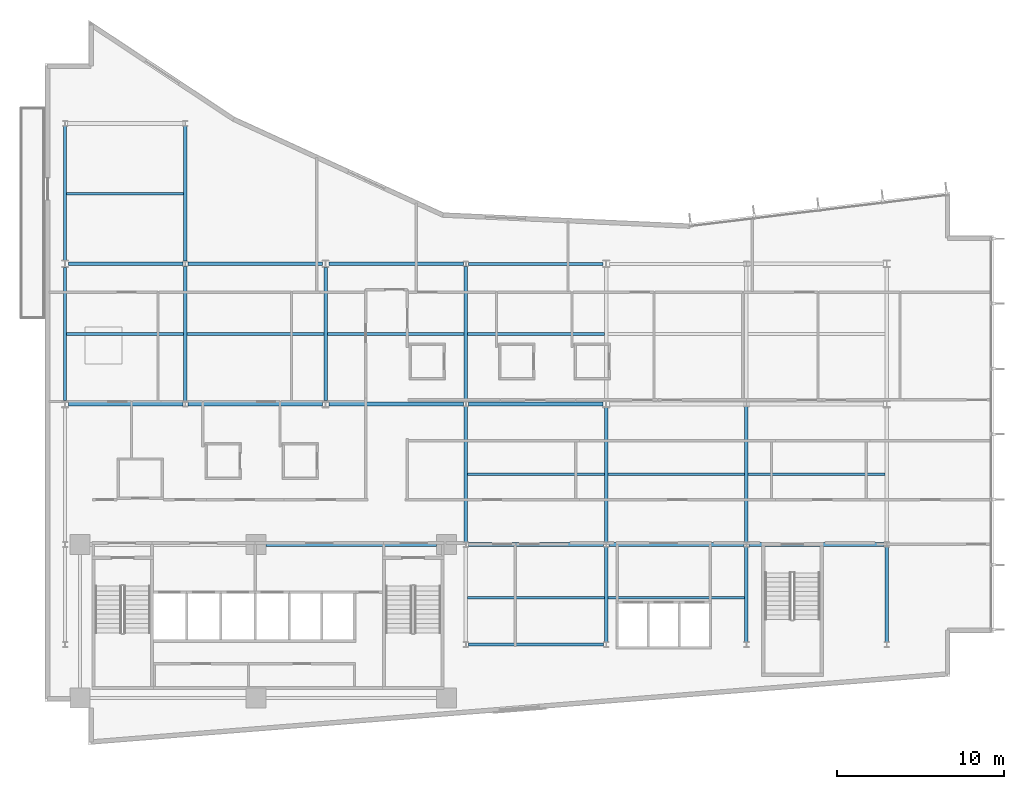
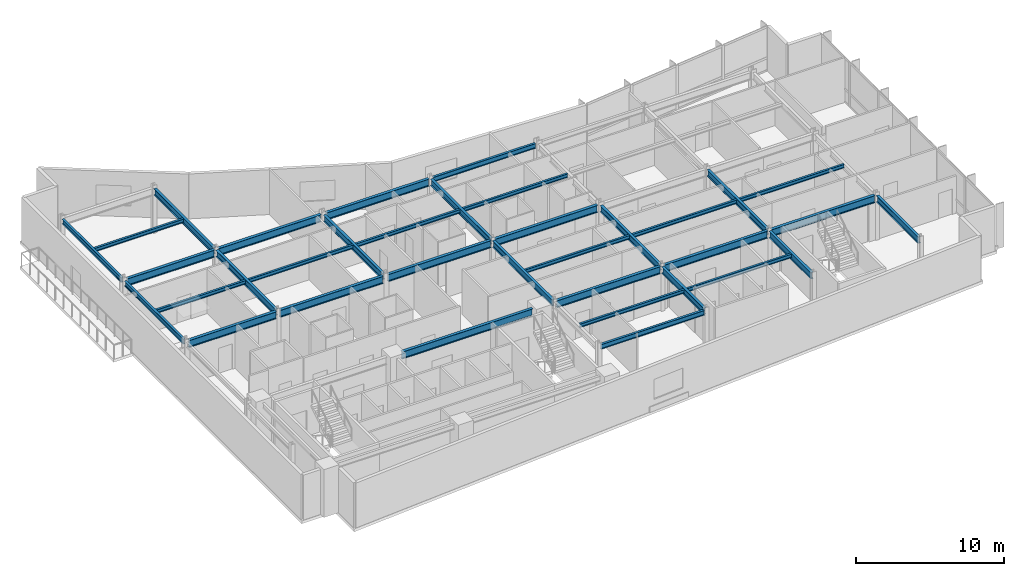
# One storey, part 4 of 19: 35 beams.
"""IFC4 building model written with IfcOpenShell, lengths in metres."""

from ifc_helpers import new_model, si_unit, direction, frame, origin, origin_2d, place, context, subcontext, project, spatial, i_section, extrude, material, material_profile, profile_set, type_object, element, save


model = new_model("IFC4")

# Units and contexts
model_context = context("Model", 3, precision=1e-05, world=origin(), true_north=direction((0.0, 1.0)))
body_context = subcontext(model_context, "Body", "Model", "MODEL_VIEW")
ifc_project = project(units=[si_unit("LENGTHUNIT", "METRE"), si_unit("AREAUNIT", "SQUARE_METRE"), si_unit("VOLUMEUNIT", "CUBIC_METRE"), si_unit("PLANEANGLEUNIT", "RADIAN"), si_unit("MASSUNIT", "GRAM", prefix="KILO")], contexts=[model_context])

# Site, building, storey
site_placement = place(None, origin())
site = spatial("IfcSite", under=ifc_project, at=site_placement, CompositionType="ELEMENT")
building_placement = place(site_placement, origin())
building = spatial("IfcBuilding", under=site, at=building_placement, Name="Varnakote Quay Hospital", CompositionType="ELEMENT")
storey_placement = place(building_placement, frame((0.0, 0.0, 162.60009765625)))
storey = spatial("IfcBuildingStorey", under=building, at=storey_placement, Name="L40", CompositionType="ELEMENT", Elevation=162.60009765625)

# Beams
ifc_material_1 = material(Name="Structural steel AS/NZS 3679.1 Grade 350 L0 (fy 340 MPa)", Category="steel")
ifc_material_profile_1 = material_profile(ifc_material_1, i_section(OverallWidth=0.208984375, OverallDepth=0.532958984375, WebThickness=0.01025390625, FlangeThickness=0.015625, FilletRadius=0.013916015625, at=origin_2d()), Name="530UB92.4")
ifc_profile_set_1 = profile_set([ifc_material_profile_1], Name="Structural steel AS/NZS 3679.1 Grade 350 L0 (fy 340 MPa)")
beam_type_1 = type_object("IfcBeamType", Name="BM-STL-530UB92-4", PredefinedType="BEAM", material=ifc_profile_set_1)
for number, where, z_axis, x_axis, name in (
    (1, (8.39990234375, 20.5576171875, 3.443359375), (0.0, 1.0, 0.0), (-1.0, 0.0, 0.0), "L40 Primary Tie Beam"),
    (2, (8.39990234375, 28.95751953125, 3.443359375), (0.0, 1.0, 0.0), (-1.0, 0.0, 0.0), "L40 Primary Tie Beam"),
):
    element("IfcBeam", number, at=place(storey_placement, frame(where, z_axis=z_axis, x_axis=x_axis)), inside=storey, type_object=beam_type_1, Name=name, PredefinedType="BEAM", context=body_context, shape_type="SweptSolid", body=[
        extrude(i_section(OverallWidth=0.208984375, OverallDepth=0.532958984375, WebThickness=0.01025390625, FlangeThickness=0.015625, FilletRadius=0.013916015625, at=origin_2d()), origin(), (0.0, 0.0, 1.0), 8.0849609375),
    ])
beam_1_placement = place(storey_placement, frame((16.800048828125, 20.610107421875, 3.443359375), z_axis=(0.0, 1.0, 0.0), x_axis=(-1.0, 0.0, 0.0)))
element("IfcBeam", 3, at=beam_1_placement, inside=storey, type_object=beam_type_1, Name="L40 Primary Tie Beam", PredefinedType="BEAM", context=body_context, shape_type="SweptSolid", body=[
    extrude(i_section(OverallWidth=0.208984375, OverallDepth=0.532958984375, WebThickness=0.01025390625, FlangeThickness=0.015625, FilletRadius=0.013916015625, at=origin_2d()), origin(), (0.0, 0.0, 1.0), 7.97998046875),
])
for number, where, z_axis, x_axis, name in (
    (4, (25.199951171875, 12.157470703125, 3.443359375), (0.0, 1.0, 0.0), (-1.0, 0.0, 0.0), "L40 Primary Tie Beam"),
    (5, (25.199951171875, 20.5576171875, 3.443359375), (0.0, 1.0, 0.0), (-1.0, 0.0, 0.0), "L40 Primary Tie Beam"),
):
    element("IfcBeam", number, at=place(storey_placement, frame(where, z_axis=z_axis, x_axis=x_axis)), inside=storey, type_object=beam_type_1, Name=name, PredefinedType="BEAM", context=body_context, shape_type="SweptSolid", body=[
        extrude(i_section(OverallWidth=0.208984375, OverallDepth=0.532958984375, WebThickness=0.01025390625, FlangeThickness=0.015625, FilletRadius=0.013916015625, at=origin_2d()), origin(), (0.0, 0.0, 1.0), 8.0849609375),
    ])
beam_2_placement = place(storey_placement, frame((33.60009765625, 6.157470703125, 3.443359375), z_axis=(0.0, 1.0, 0.0), x_axis=(-1.0, 0.0, 0.0)))
element("IfcBeam", 6, at=beam_2_placement, inside=storey, type_object=beam_type_1, Name="L40 Primary Tie Beam", PredefinedType="BEAM", context=body_context, shape_type="SweptSolid", body=[
    extrude(i_section(OverallWidth=0.208984375, OverallDepth=0.532958984375, WebThickness=0.01025390625, FlangeThickness=0.015625, FilletRadius=0.013916015625, at=origin_2d()), origin(), (0.0, 0.0, 1.0), 5.68505859375),
])
beam_3_placement = place(storey_placement, frame((33.60009765625, 12.157470703125, 3.443359375), z_axis=(0.0, 1.0, 0.0), x_axis=(-1.0, 0.0, 0.0)))
element("IfcBeam", 7, at=beam_3_placement, inside=storey, type_object=beam_type_1, Name="L40 Primary Tie Beam", PredefinedType="BEAM", context=body_context, shape_type="SweptSolid", body=[
    extrude(i_section(OverallWidth=0.208984375, OverallDepth=0.532958984375, WebThickness=0.01025390625, FlangeThickness=0.015625, FilletRadius=0.013916015625, at=origin_2d()), origin(), (0.0, 0.0, 1.0), 8.032470703125),
])
beam_4_placement = place(storey_placement, frame((42.0, 6.157470703125, 3.443359375), z_axis=(0.0, 1.0, 0.0), x_axis=(-1.0, 0.0, 0.0)))
element("IfcBeam", 8, at=beam_4_placement, inside=storey, type_object=beam_type_1, Name="L40 Primary Tie Beam", PredefinedType="BEAM", context=body_context, shape_type="SweptSolid", body=[
    extrude(i_section(OverallWidth=0.208984375, OverallDepth=0.532958984375, WebThickness=0.01025390625, FlangeThickness=0.015625, FilletRadius=0.013916015625, at=origin_2d()), origin(), (0.0, 0.0, 1.0), 5.68505859375),
])
beam_5_placement = place(storey_placement, frame((42.0, 12.157470703125, 3.443359375), z_axis=(0.0, 1.0, 0.0), x_axis=(-1.0, 0.0, 0.0)))
element("IfcBeam", 9, at=beam_5_placement, inside=storey, type_object=beam_type_1, Name="L40 Primary Tie Beam", PredefinedType="BEAM", context=body_context, shape_type="SweptSolid", body=[
    extrude(i_section(OverallWidth=0.208984375, OverallDepth=0.532958984375, WebThickness=0.01025390625, FlangeThickness=0.015625, FilletRadius=0.013916015625, at=origin_2d()), origin(), (0.0, 0.0, 1.0), 8.0849609375),
])
beam_6_placement = place(storey_placement, frame((50.39990234375, 6.157470703125, 3.443359375), z_axis=(0.0, 1.0, 0.0), x_axis=(-1.0, 0.0, 0.0)))
element("IfcBeam", 10, at=beam_6_placement, inside=storey, type_object=beam_type_1, Name="L40 Primary Tie Beam", PredefinedType="BEAM", context=body_context, shape_type="SweptSolid", body=[
    extrude(i_section(OverallWidth=0.208984375, OverallDepth=0.532958984375, WebThickness=0.01025390625, FlangeThickness=0.015625, FilletRadius=0.013916015625, at=origin_2d()), origin(), (0.0, 0.0, 1.0), 5.68505859375),
])
ifc_material_2 = material(Name="Structural steel AS/NZS 3679.1 Grade 350 L0 (fy 340 MPa)", Category="steel")
ifc_material_profile_2 = material_profile(ifc_material_2, i_section(OverallWidth=0.22802734375, OverallDepth=0.60205078125, WebThickness=0.010498046875, FlangeThickness=0.014892578125, FilletRadius=0.013916015625, at=origin_2d()), Name="610UB101")
ifc_profile_set_2 = profile_set([ifc_material_profile_2], Name="Structural steel AS/NZS 3679.1 Grade 350 L0 (fy 340 MPa)")
beam_type_2 = type_object("IfcBeamType", Name="BM-STL-610UB101", PredefinedType="BEAM", material=ifc_profile_set_2)
beam_7_placement = place(storey_placement, frame((13.219970703125, 12.0, 3.408935546875), z_axis=(1.0, 0.0, 0.0), x_axis=(0.0, 1.0, 0.0)))
element("IfcBeam", 11, at=beam_7_placement, inside=storey, type_object=beam_type_2, Name="L40 Primary Floor Beam", PredefinedType="BEAM", context=body_context, shape_type="SweptSolid", body=[
    extrude(i_section(OverallWidth=0.22802734375, OverallDepth=0.60205078125, WebThickness=0.010498046875, FlangeThickness=0.014892578125, FilletRadius=0.013916015625, at=origin_2d()), origin(), (0.0, 0.0, 1.0), 10.22998046875),
])
for number, where, z_axis, x_axis, name in (
    (12, (25.353515625, 12.0, 3.408935546875), (1.0, 0.0, 0.0), (0.0, 1.0, 0.0), "L40 Primary Floor Beam"),
    (13, (33.75341796875, 12.0, 3.408935546875), (1.0, 0.0, 0.0), (0.0, 1.0, 0.0), "L40 Primary Floor Beam"),
    (14, (42.153564453125, 12.0, 3.408935546875), (1.0, 0.0, 0.0), (0.0, 1.0, 0.0), "L40 Primary Floor Beam"),
):
    element("IfcBeam", number, at=place(storey_placement, frame(where, z_axis=z_axis, x_axis=x_axis)), inside=storey, type_object=beam_type_2, Name=name, PredefinedType="BEAM", context=body_context, shape_type="SweptSolid", body=[
        extrude(i_section(OverallWidth=0.22802734375, OverallDepth=0.60205078125, WebThickness=0.010498046875, FlangeThickness=0.014892578125, FilletRadius=0.013916015625, at=origin_2d()), origin(), (0.0, 0.0, 1.0), 8.093017578125),
    ])
beam_8_placement = place(storey_placement, frame((1.39990234375, 20.39990234375, 3.408935546875), z_axis=(1.0, 0.0, 0.0), x_axis=(0.0, 1.0, 0.0)))
element("IfcBeam", 15, at=beam_8_placement, inside=storey, type_object=beam_type_2, Name="L40 Primary Floor Beam", PredefinedType="BEAM", context=body_context, shape_type="SweptSolid", body=[
    extrude(i_section(OverallWidth=0.22802734375, OverallDepth=0.60205078125, WebThickness=0.010498046875, FlangeThickness=0.014892578125, FilletRadius=0.013916015625, at=origin_2d()), origin(), (0.0, 0.0, 1.0), 6.8466796875),
])
beam_9_placement = place(storey_placement, frame((8.553466796875, 20.39990234375, 3.408935546875), z_axis=(1.0, 0.0, 0.0), x_axis=(0.0, 1.0, 0.0)))
element("IfcBeam", 16, at=beam_9_placement, inside=storey, type_object=beam_type_2, Name="L40 Primary Floor Beam", PredefinedType="BEAM", context=body_context, shape_type="SweptSolid", body=[
    extrude(i_section(OverallWidth=0.22802734375, OverallDepth=0.60205078125, WebThickness=0.010498046875, FlangeThickness=0.014892578125, FilletRadius=0.013916015625, at=origin_2d()), origin(), (0.0, 0.0, 1.0), 8.046630859375),
])
for number, where, z_axis, x_axis, name in (
    (17, (17.0, 20.39990234375, 3.408935546875), (1.0, 0.0, 0.0), (0.0, 1.0, 0.0), "L40 Primary Floor Beam"),
    (18, (25.353515625, 20.39990234375, 3.408935546875), (1.0, 0.0, 0.0), (0.0, 1.0, 0.0), "L40 Primary Floor Beam"),
):
    element("IfcBeam", number, at=place(storey_placement, frame(where, z_axis=z_axis, x_axis=x_axis)), inside=storey, type_object=beam_type_2, Name=name, PredefinedType="BEAM", context=body_context, shape_type="SweptSolid", body=[
        extrude(i_section(OverallWidth=0.22802734375, OverallDepth=0.60205078125, WebThickness=0.010498046875, FlangeThickness=0.014892578125, FilletRadius=0.013916015625, at=origin_2d()), origin(), (0.0, 0.0, 1.0), 8.04638671875),
    ])
beam_10_placement = place(storey_placement, frame((1.39990234375, 28.800048828125, 3.408935546875), z_axis=(1.0, 0.0, 0.0), x_axis=(0.0, 1.0, 0.0)))
element("IfcBeam", 19, at=beam_10_placement, inside=storey, type_object=beam_type_2, Name="L40 Primary Floor Beam", PredefinedType="BEAM", context=body_context, shape_type="SweptSolid", body=[
    extrude(i_section(OverallWidth=0.22802734375, OverallDepth=0.60205078125, WebThickness=0.010498046875, FlangeThickness=0.014892578125, FilletRadius=0.013916015625, at=origin_2d()), origin(), (0.0, 0.0, 1.0), 6.8466796875),
])
beam_11_placement = place(storey_placement, frame((8.553466796875, 28.800048828125, 3.408935546875), z_axis=(1.0, 0.0, 0.0), x_axis=(0.0, 1.0, 0.0)))
element("IfcBeam", 20, at=beam_11_placement, inside=storey, type_object=beam_type_2, Name="L40 Primary Floor Beam", PredefinedType="BEAM", context=body_context, shape_type="SweptSolid", body=[
    extrude(i_section(OverallWidth=0.22802734375, OverallDepth=0.60205078125, WebThickness=0.010498046875, FlangeThickness=0.014892578125, FilletRadius=0.013916015625, at=origin_2d()), origin(), (0.0, 0.0, 1.0), 8.046630859375),
])
beam_12_placement = place(storey_placement, frame((17.0, 28.800048828125, 3.408935546875), z_axis=(1.0, 0.0, 0.0), x_axis=(0.0, 1.0, 0.0)))
element("IfcBeam", 21, at=beam_12_placement, inside=storey, type_object=beam_type_2, Name="L40 Primary Floor Beam", PredefinedType="BEAM", context=body_context, shape_type="SweptSolid", body=[
    extrude(i_section(OverallWidth=0.22802734375, OverallDepth=0.60205078125, WebThickness=0.010498046875, FlangeThickness=0.014892578125, FilletRadius=0.013916015625, at=origin_2d()), origin(), (0.0, 0.0, 1.0), 8.04638671875),
])
ifc_material_3 = material(Name="Structural steel AS/NZS 3679.1 Grade 350 L0 (fy 340 MPa)", Category="steel")
ifc_material_profile_3 = material_profile(ifc_material_3, i_section(OverallWidth=0.1650390625, OverallDepth=0.303955078125, WebThickness=0.006103515625, FlangeThickness=0.01025390625, FilletRadius=0.011474609375, at=origin_2d()), Name="310UB40.4")
ifc_profile_set_3 = profile_set([ifc_material_profile_3], Name="Structural steel AS/NZS 3679.1 Grade 350 L0 (fy 340 MPa)")
beam_type_3 = type_object("IfcBeamType", Name="JST-STL-310UB40-4", PredefinedType="JOIST", material=ifc_profile_set_3)
beam_13_placement = place(storey_placement, frame((25.304443359375, 8.800048828125, 3.557861328125), z_axis=(1.0, 0.0, 0.0), x_axis=(0.0, 1.0, 0.0)))
element("IfcBeam", 22, at=beam_13_placement, inside=storey, type_object=beam_type_3, Name="L40 Composite Floor Joist", PredefinedType="JOIST", context=body_context, shape_type="SweptSolid", body=[
    extrude(i_section(OverallWidth=0.1650390625, OverallDepth=0.303955078125, WebThickness=0.006103515625, FlangeThickness=0.01025390625, FilletRadius=0.011474609375, at=origin_2d()), origin(), (0.0, 0.0, 1.0), 8.191162109375),
])
beam_14_placement = place(storey_placement, frame((33.70458984375, 8.800048828125, 3.557861328125), z_axis=(1.0, 0.0, 0.0), x_axis=(0.0, 1.0, 0.0)))
element("IfcBeam", 23, at=beam_14_placement, inside=storey, type_object=beam_type_3, Name="L40 Composite Floor Joist", PredefinedType="JOIST", context=body_context, shape_type="SweptSolid", body=[
    extrude(i_section(OverallWidth=0.1650390625, OverallDepth=0.303955078125, WebThickness=0.006103515625, FlangeThickness=0.01025390625, FilletRadius=0.011474609375, at=origin_2d()), origin(), (0.0, 0.0, 1.0), 8.19091796875),
])
beam_15_placement = place(storey_placement, frame((25.304443359375, 16.199951171875, 3.557861328125), z_axis=(1.0, 0.0, 0.0), x_axis=(0.0, 1.0, 0.0)))
element("IfcBeam", 24, at=beam_15_placement, inside=storey, type_object=beam_type_3, Name="L40 Composite Floor Joist", PredefinedType="JOIST", context=body_context, shape_type="SweptSolid", body=[
    extrude(i_section(OverallWidth=0.1650390625, OverallDepth=0.303955078125, WebThickness=0.006103515625, FlangeThickness=0.01025390625, FilletRadius=0.011474609375, at=origin_2d()), origin(), (0.0, 0.0, 1.0), 8.191162109375),
])
for number, where, z_axis, x_axis, name in (
    (25, (33.70458984375, 16.199951171875, 3.557861328125), (1.0, 0.0, 0.0), (0.0, 1.0, 0.0), "L40 Composite Floor Joist"),
    (26, (42.1044921875, 16.199951171875, 3.557861328125), (1.0, 0.0, 0.0), (0.0, 1.0, 0.0), "L40 Composite Floor Joist"),
):
    element("IfcBeam", number, at=place(storey_placement, frame(where, z_axis=z_axis, x_axis=x_axis)), inside=storey, type_object=beam_type_3, Name=name, PredefinedType="JOIST", context=body_context, shape_type="SweptSolid", body=[
        extrude(i_section(OverallWidth=0.1650390625, OverallDepth=0.303955078125, WebThickness=0.006103515625, FlangeThickness=0.01025390625, FilletRadius=0.011474609375, at=origin_2d()), origin(), (0.0, 0.0, 1.0), 8.19091796875),
    ])
beam_16_placement = place(storey_placement, frame((1.2890625, 24.60009765625, 3.557861328125), z_axis=(1.0, 0.0, 0.0), x_axis=(0.0, 1.0, 0.0)))
element("IfcBeam", 27, at=beam_16_placement, inside=storey, type_object=beam_type_3, Name="L40 Composite Floor Joist", PredefinedType="JOIST", context=body_context, shape_type="SweptSolid", body=[
    extrude(i_section(OverallWidth=0.1650390625, OverallDepth=0.303955078125, WebThickness=0.006103515625, FlangeThickness=0.01025390625, FilletRadius=0.011474609375, at=origin_2d()), origin(), (0.0, 0.0, 1.0), 7.00634765625),
])
beam_17_placement = place(storey_placement, frame((8.50439453125, 24.60009765625, 3.557861328125), z_axis=(1.0, 0.0, 0.0), x_axis=(0.0, 1.0, 0.0)))
element("IfcBeam", 28, at=beam_17_placement, inside=storey, type_object=beam_type_3, Name="L40 Composite Floor Joist", PredefinedType="JOIST", context=body_context, shape_type="SweptSolid", body=[
    extrude(i_section(OverallWidth=0.1650390625, OverallDepth=0.303955078125, WebThickness=0.006103515625, FlangeThickness=0.01025390625, FilletRadius=0.011474609375, at=origin_2d()), origin(), (0.0, 0.0, 1.0), 8.191162109375),
])
beam_18_placement = place(storey_placement, frame((16.904541015625, 24.60009765625, 3.557861328125), z_axis=(1.0, 0.0, 0.0), x_axis=(0.0, 1.0, 0.0)))
element("IfcBeam", 29, at=beam_18_placement, inside=storey, type_object=beam_type_3, Name="L40 Composite Floor Joist", PredefinedType="JOIST", context=body_context, shape_type="SweptSolid", body=[
    extrude(i_section(OverallWidth=0.1650390625, OverallDepth=0.303955078125, WebThickness=0.006103515625, FlangeThickness=0.01025390625, FilletRadius=0.011474609375, at=origin_2d()), origin(), (0.0, 0.0, 1.0), 8.19091796875),
])
beam_19_placement = place(storey_placement, frame((25.304443359375, 24.60009765625, 3.557861328125), z_axis=(1.0, 0.0, 0.0), x_axis=(0.0, 1.0, 0.0)))
element("IfcBeam", 30, at=beam_19_placement, inside=storey, type_object=beam_type_3, Name="L40 Composite Floor Joist", PredefinedType="JOIST", context=body_context, shape_type="SweptSolid", body=[
    extrude(i_section(OverallWidth=0.1650390625, OverallDepth=0.303955078125, WebThickness=0.006103515625, FlangeThickness=0.01025390625, FilletRadius=0.011474609375, at=origin_2d()), origin(), (0.0, 0.0, 1.0), 8.191162109375),
])
beam_20_placement = place(storey_placement, frame((1.2890625, 33.0, 3.557861328125), z_axis=(1.0, 0.0, 0.0), x_axis=(0.0, 1.0, 0.0)))
element("IfcBeam", 31, at=beam_20_placement, inside=storey, type_object=beam_type_3, Name="L40 Composite Floor Joist", PredefinedType="JOIST", context=body_context, shape_type="SweptSolid", body=[
    extrude(i_section(OverallWidth=0.1650390625, OverallDepth=0.303955078125, WebThickness=0.006103515625, FlangeThickness=0.01025390625, FilletRadius=0.011474609375, at=origin_2d()), origin(), (0.0, 0.0, 1.0), 7.00634765625),
])
ifc_material_4 = material(Name="Structural steel AS/NZS 3679.1 Grade 350 L0 (fy 340 MPa)", Category="steel")
ifc_material_profile_4 = material_profile(ifc_material_4, i_section(OverallWidth=0.177978515625, OverallDepth=0.403076171875, WebThickness=0.007568359375, FlangeThickness=0.010986328125, FilletRadius=0.011474609375, at=origin_2d()), Name="410UB53.7")
ifc_profile_set_4 = profile_set([ifc_material_profile_4], Name="Structural steel AS/NZS 3679.1 Grade 350 L0 (fy 340 MPa)")
beam_type_4 = type_object("IfcBeamType", Name="SPN-STL-410UB53-7", PredefinedType="SPANDREL", material=ifc_profile_set_4)
beam_21_placement = place(storey_placement, frame((1.199951171875, 20.610107421875, 3.50830078125), z_axis=(0.0, 1.0, 0.0), x_axis=(-1.0, 0.0, 0.0)))
element("IfcBeam", 32, at=beam_21_placement, inside=storey, type_object=beam_type_4, Name="L40 Perimeter Spandrel Beam", PredefinedType="SPANDREL", context=body_context, shape_type="SweptSolid", body=[
    extrude(i_section(OverallWidth=0.177978515625, OverallDepth=0.403076171875, WebThickness=0.007568359375, FlangeThickness=0.010986328125, FilletRadius=0.011474609375, at=origin_2d()), origin(), (0.0, 0.0, 1.0), 7.97998046875),
])
beam_22_placement = place(storey_placement, frame((1.199951171875, 29.010009765625, 3.50830078125), z_axis=(0.0, 1.0, 0.0), x_axis=(-1.0, 0.0, 0.0)))
element("IfcBeam", 33, at=beam_22_placement, inside=storey, type_object=beam_type_4, Name="L40 Perimeter Spandrel Beam", PredefinedType="SPANDREL", context=body_context, shape_type="SweptSolid", body=[
    extrude(i_section(OverallWidth=0.177978515625, OverallDepth=0.403076171875, WebThickness=0.007568359375, FlangeThickness=0.010986328125, FilletRadius=0.011474609375, at=origin_2d()), origin(), (0.0, 0.0, 1.0), 8.032470703125),
])
ifc_material_5 = material(Name="Structural steel AS/NZS 3679.1 Grade 350 L0 (fy 340 MPa)", Category="steel")
ifc_material_profile_5 = material_profile(ifc_material_5, i_section(OverallWidth=0.177978515625, OverallDepth=0.406005859375, WebThickness=0.0078125, FlangeThickness=0.0126953125, FilletRadius=0.011474609375, at=origin_2d()), Name="410UB59.7")
ifc_profile_set_5 = profile_set([ifc_material_profile_5], Name="Structural steel AS/NZS 3679.1 Grade 350 L0 (fy 340 MPa)")
beam_type_5 = type_object("IfcBeamType", Name="SPN-STL-410UB59-7", PredefinedType="SPANDREL", material=ifc_profile_set_5)
beam_23_placement = place(storey_placement, frame((25.353515625, 6.0, 3.5068359375), z_axis=(1.0, 0.0, 0.0), x_axis=(0.0, 1.0, 0.0)))
element("IfcBeam", 34, at=beam_23_placement, inside=storey, type_object=beam_type_5, Name="L40 Perimeter Spandrel Beam", PredefinedType="SPANDREL", context=body_context, shape_type="SweptSolid", body=[
    extrude(i_section(OverallWidth=0.177978515625, OverallDepth=0.406005859375, WebThickness=0.0078125, FlangeThickness=0.0126953125, FilletRadius=0.011474609375, at=origin_2d()), origin(), (0.0, 0.0, 1.0), 8.093017578125),
])
beam_24_placement = place(storey_placement, frame((25.353515625, 28.800048828125, 3.5068359375), z_axis=(1.0, 0.0, 0.0), x_axis=(0.0, 1.0, 0.0)))
element("IfcBeam", 35, at=beam_24_placement, inside=storey, type_object=beam_type_5, Name="L40 Perimeter Spandrel Beam", PredefinedType="SPANDREL", context=body_context, shape_type="SweptSolid", body=[
    extrude(i_section(OverallWidth=0.177978515625, OverallDepth=0.406005859375, WebThickness=0.0078125, FlangeThickness=0.0126953125, FilletRadius=0.011474609375, at=origin_2d()), origin(), (0.0, 0.0, 1.0), 8.04638671875),
])

save(model, "model.ifc")
